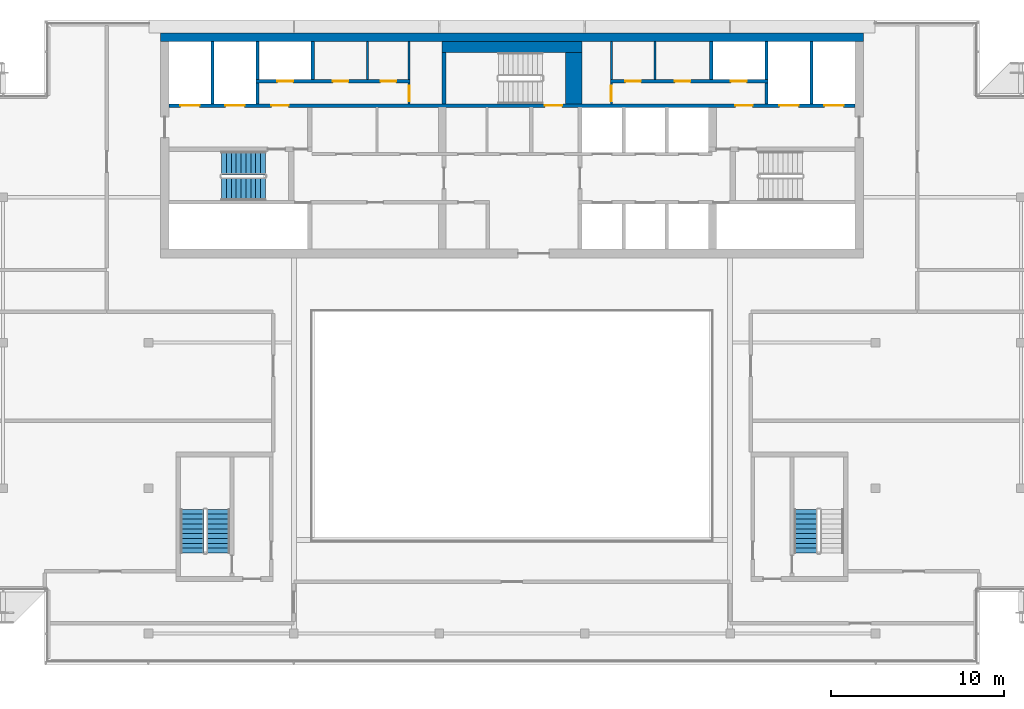
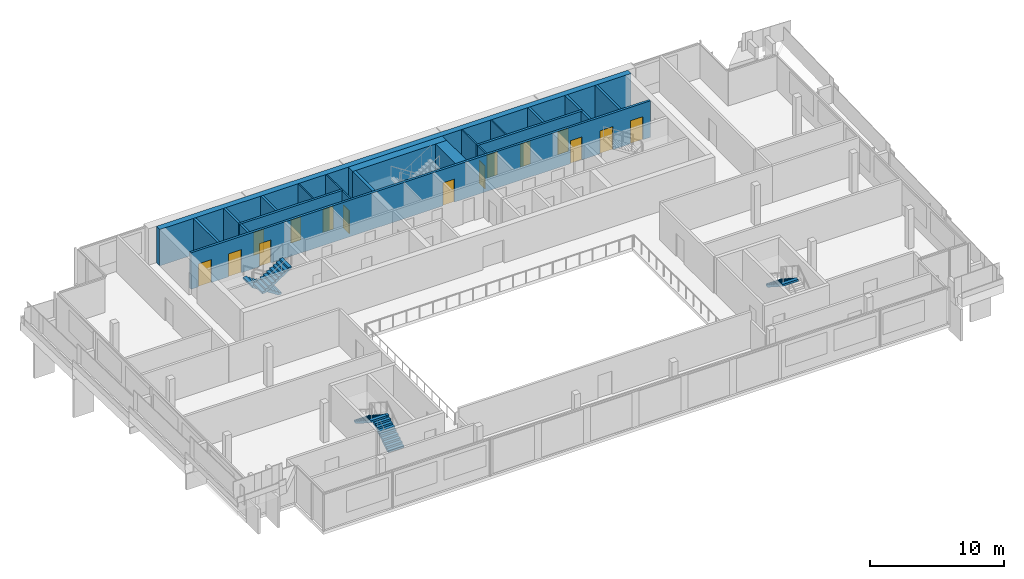
# One storey, part 14 of 20: 21 walls, 15 doors, 5 stair flights, 15 openings, 3 elements without a shape of their own.
"""IFC4 building model written with IfcOpenShell, lengths in metres."""

from ifc_helpers import new_model, si_unit, direction, frame, frame_2d, origin, place, context, subcontext, project, spatial, polyline, rectangle, outline, extrude, material, layer, layer_set, type_object, element, fill, aggregate, save


model = new_model("IFC4")

# Units and contexts
model_context = context("Model", 3, precision=1e-05, world=origin(), true_north=direction((0.0, 1.0)))
body_context = subcontext(model_context, "Body", "Model", "MODEL_VIEW")
ifc_project = project(units=[si_unit("LENGTHUNIT", "METRE"), si_unit("AREAUNIT", "SQUARE_METRE"), si_unit("VOLUMEUNIT", "CUBIC_METRE"), si_unit("PLANEANGLEUNIT", "RADIAN"), si_unit("MASSUNIT", "GRAM", prefix="KILO")], contexts=[model_context])

# Site, building, storey
site_placement = place(None, origin())
site = spatial("IfcSite", under=ifc_project, at=site_placement, CompositionType="ELEMENT")
building_placement = place(site_placement, origin())
building = spatial("IfcBuilding", under=site, at=building_placement, Name="Saffron Gate Tower", CompositionType="ELEMENT")
storey_placement = place(building_placement, frame((0.0, 0.0, 303.14990234375)))
storey = spatial("IfcBuildingStorey", under=building, at=storey_placement, Name="L74", CompositionType="ELEMENT", Elevation=303.14990234375)

# Walls
ifc_material_1 = material(Name="Concrete C50", Category="concrete")
ifc_layer_1 = layer(ifc_material_1, 0.5)
ifc_layer_set_1 = layer_set([ifc_layer_1], Name="CW22 RC core wall 500 C50")
wall_type_1 = type_object("IfcWallType", Name="CW22 RC core wall 500 C50", PredefinedType="SOLIDWALL", material=ifc_layer_set_1)
wall_1_placement = place(storey_placement, frame((67.300048828125, 74.64990234375, 0.0), z_axis=(0.0, 0.0, 1.0), x_axis=(1.0, 0.0, 0.0)))
element("IfcWall", 1, at=wall_1_placement, inside=storey, type_object=wall_type_1, Name="Wall CW22-L74-2", PredefinedType="SOLIDWALL", context=body_context, shape_type="SweptSolid", body=[
    extrude(rectangle(XDim=40.599853515625, YDim=0.5, at=frame_2d((20.2998046875, 0.0))), origin(), (0.0, 0.0, 1.0), 3.320068359375),
])
ifc_layer_2 = layer(ifc_material_1, 0.25)
ifc_layer_set_2 = layer_set([ifc_layer_2], Name="CW23 RC core wall 250 C50")
wall_type_2 = type_object("IfcWallType", Name="CW23 RC core wall 250 C50", PredefinedType="SOLIDWALL", material=ifc_layer_set_2)
wall_2_placement = place(storey_placement, frame((83.675048828125, 70.800048828125, 0.0), z_axis=(0.0, 0.0, 1.0), x_axis=(0.0, 1.0, 0.0)))
element("IfcWall", 2, at=wall_2_placement, inside=storey, type_object=wall_type_2, Name="Wall CW23-L74-35", PredefinedType="SOLIDWALL", context=body_context, shape_type="SweptSolid", body=[
    extrude(rectangle(XDim=2.949951171875, YDim=0.25, at=frame_2d((1.47509765625, 0.0))), origin(), (0.0, 0.0, 1.0), 3.320068359375),
])

# Wall, openings, doors
ifc_layer_3 = layer(ifc_material_1, 0.199951171875)
ifc_layer_set_3 = layer_set([ifc_layer_3], Name="CW25 RC core wall 200 C50")
wall_type_3 = type_object("IfcWallType", Name="CW25 RC core wall 200 C50", PredefinedType="SOLIDWALL", material=ifc_layer_set_3)
wall_3_placement = place(storey_placement, frame((67.800048828125, 70.699951171875, 0.0), z_axis=(0.0, 0.0, 1.0), x_axis=(1.0, 0.0, 0.0)))
wall_3 = element("IfcWall", 3, at=wall_3_placement, inside=storey, type_object=wall_type_3, Name="Wall CW25-L74-31", PredefinedType="SOLIDWALL", context=body_context, shape_type="SweptSolid", body=[
    extrude(rectangle(XDim=39.599853515625, YDim=0.199951171875, at=frame_2d((19.7998046875, 0.0))), origin(), (0.0, 0.0, 1.0), 3.320068359375),
])
opening_1_placement = place(wall_3_placement, frame((0.64990234375, 0.0, 0.0)))
opening_1 = element("IfcOpeningElement", 4, at=opening_1_placement, cuts=wall_3, Name="Opening LD-FF1", PredefinedType="OPENING", context=body_context, shape_type="SweptSolid", body=[
    extrude(rectangle(XDim=1.10009765625, YDim=2.10009765625, at=frame_2d((0.550048828125, 1.050048828125))), frame((0.0, 0.10986328125, 0.0), z_axis=(0.0, -1.0, 0.0), x_axis=(1.0, 0.0, 0.0)), (0.0, 0.0, 1.0), 0.219970703125),
])
opening_2_placement = place(wall_3_placement, frame((3.25, 0.0, 0.0)))
opening_2 = element("IfcOpeningElement", 5, at=opening_2_placement, cuts=wall_3, Name="Opening LD-SV1", PredefinedType="OPENING", context=body_context, shape_type="SweptSolid", body=[
    extrude(rectangle(XDim=1.10009765625, YDim=2.10009765625, at=frame_2d((0.550048828125, 1.050048828125))), frame((0.0, 0.10986328125, 0.0), z_axis=(0.0, -1.0, 0.0), x_axis=(1.0, 0.0, 0.0)), (0.0, 0.0, 1.0), 0.219970703125),
])
opening_3_placement = place(wall_3_placement, frame((5.89990234375, 0.0, 0.0)))
opening_3 = element("IfcOpeningElement", 6, at=opening_3_placement, cuts=wall_3, Name="Opening CR-03", PredefinedType="OPENING", context=body_context, shape_type="SweptSolid", body=[
    extrude(rectangle(XDim=1.0, YDim=2.10009765625, at=frame_2d((0.5, 1.050048828125))), frame((0.0, 0.10986328125, 0.0), z_axis=(0.0, -1.0, 0.0), x_axis=(1.0, 0.0, 0.0)), (0.0, 0.0, 1.0), 0.219970703125),
])
opening_4_placement = place(wall_3_placement, frame((21.699951171875, 0.0, 0.0)))
opening_4 = element("IfcOpeningElement", 7, at=opening_4_placement, cuts=wall_3, Name="Opening CR-17", PredefinedType="OPENING", context=body_context, shape_type="SweptSolid", body=[
    extrude(rectangle(XDim=1.0, YDim=2.10009765625, at=frame_2d((0.5, 1.050048828125))), frame((0.0, 0.10986328125, 0.0), z_axis=(0.0, -1.0, 0.0), x_axis=(1.0, 0.0, 0.0)), (0.0, 0.0, 1.0), 0.219970703125),
])
opening_5_placement = place(wall_3_placement, frame((32.699951171875, 0.0, 0.0)))
opening_5 = element("IfcOpeningElement", 8, at=opening_5_placement, cuts=wall_3, Name="Opening CR-04", PredefinedType="OPENING", context=body_context, shape_type="SweptSolid", body=[
    extrude(rectangle(XDim=1.0, YDim=2.10009765625, at=frame_2d((0.5, 1.050048828125))), frame((0.0, 0.10986328125, 0.0), z_axis=(0.0, -1.0, 0.0), x_axis=(1.0, 0.0, 0.0)), (0.0, 0.0, 1.0), 0.219970703125),
])
opening_6_placement = place(wall_3_placement, frame((35.25, 0.0, 0.0)))
opening_6 = element("IfcOpeningElement", 9, at=opening_6_placement, cuts=wall_3, Name="Opening LD-SV2", PredefinedType="OPENING", context=body_context, shape_type="SweptSolid", body=[
    extrude(rectangle(XDim=1.10009765625, YDim=2.10009765625, at=frame_2d((0.550048828125, 1.050048828125))), frame((0.0, 0.10986328125, 0.0), z_axis=(0.0, -1.0, 0.0), x_axis=(1.0, 0.0, 0.0)), (0.0, 0.0, 1.0), 0.219970703125),
])
opening_7_placement = place(wall_3_placement, frame((37.85009765625, 0.0, 0.0)))
opening_7 = element("IfcOpeningElement", 10, at=opening_7_placement, cuts=wall_3, Name="Opening LD-FF2", PredefinedType="OPENING", context=body_context, shape_type="SweptSolid", body=[
    extrude(rectangle(XDim=1.10009765625, YDim=2.10009765625, at=frame_2d((0.550048828125, 1.050048828125))), frame((0.0, 0.10986328125, 0.0), z_axis=(0.0, -1.0, 0.0), x_axis=(1.0, 0.0, 0.0)), (0.0, 0.0, 1.0), 0.219970703125),
])
ifc_material_2 = material(Name="Steel fire door set", Category="steel")
door_type_1 = type_object("IfcDoorType", Name="CD4 Lobby door 1000x2100 EI 120", OperationType="NOTDEFINED", PredefinedType="DOOR", material=ifc_material_2)
door_1_placement = place(opening_3_placement, origin())
door_1 = element("IfcDoor", 11, at=door_1_placement, inside=storey, type_object=door_type_1, Name="DOOR CR-03", OperationType="SINGLE_SWING_LEFT", OverallHeight=2.10009765625, OverallWidth=1.0, PredefinedType="DOOR", context=body_context, shape_type="SweptSolid", body=[
    extrude(rectangle(XDim=1.0, YDim=2.10009765625, at=frame_2d((0.5, 1.050048828125))), frame((0.0, 0.02490234375, 0.0), z_axis=(0.0, -1.0, 0.0), x_axis=(1.0, 0.0, 0.0)), (0.0, 0.0, 1.0), 0.050048828125),
])
fill(opening_3, door_1)
door_2_placement = place(opening_5_placement, origin())
door_2 = element("IfcDoor", 12, at=door_2_placement, inside=storey, type_object=door_type_1, Name="DOOR CR-04", OperationType="SINGLE_SWING_RIGHT", OverallHeight=2.10009765625, OverallWidth=1.0, PredefinedType="DOOR", context=body_context, shape_type="SweptSolid", body=[
    extrude(rectangle(XDim=1.0, YDim=2.10009765625, at=frame_2d((0.5, 1.050048828125))), frame((0.0, 0.02490234375, 0.0), z_axis=(0.0, -1.0, 0.0), x_axis=(1.0, 0.0, 0.0)), (0.0, 0.0, 1.0), 0.050048828125),
])
fill(opening_5, door_2)
door_type_2 = type_object("IfcDoorType", Name="CD5 Stair door 1000x2100 EI 120", OperationType="NOTDEFINED", PredefinedType="DOOR", material=ifc_material_2)
door_3_placement = place(opening_4_placement, origin())
door_3 = element("IfcDoor", 13, at=door_3_placement, inside=storey, type_object=door_type_2, Name="DOOR CR-17", OperationType="SINGLE_SWING_RIGHT", OverallHeight=2.10009765625, OverallWidth=1.0, PredefinedType="DOOR", context=body_context, shape_type="SweptSolid", body=[
    extrude(rectangle(XDim=1.0, YDim=2.10009765625, at=frame_2d((0.5, 1.050048828125))), frame((0.0, 0.02490234375, 0.0), z_axis=(0.0, -1.0, 0.0), x_axis=(1.0, 0.0, 0.0)), (0.0, 0.0, 1.0), 0.050048828125),
])
fill(opening_4, door_3)
ifc_material_3 = material(Name="Stainless steel landing door", Category="steel")
door_type_3 = type_object("IfcDoorType", Name="LD Lift landing door 1100x2100 EI 120", OperationType="SLIDING_TO_LEFT", PredefinedType="DOOR", material=ifc_material_3)
door_4_placement = place(opening_1_placement, origin())
door_4 = element("IfcDoor", 14, at=door_4_placement, inside=storey, type_object=door_type_3, Name="LANDING DOOR LD-FF1", OperationType="SLIDING_TO_RIGHT", OverallHeight=2.10009765625, OverallWidth=1.10009765625, PredefinedType="DOOR", context=body_context, shape_type="SweptSolid", body=[
    extrude(rectangle(XDim=1.10009765625, YDim=2.10009765625, at=frame_2d((0.550048828125, 1.050048828125))), frame((0.0, 0.02490234375, 0.0), z_axis=(0.0, -1.0, 0.0), x_axis=(1.0, 0.0, 0.0)), (0.0, 0.0, 1.0), 0.050048828125),
])
fill(opening_1, door_4)
door_5_placement = place(opening_2_placement, origin())
door_5 = element("IfcDoor", 15, at=door_5_placement, inside=storey, type_object=door_type_3, Name="LANDING DOOR LD-SV1", OperationType="SLIDING_TO_RIGHT", OverallHeight=2.10009765625, OverallWidth=1.10009765625, PredefinedType="DOOR", context=body_context, shape_type="SweptSolid", body=[
    extrude(rectangle(XDim=1.10009765625, YDim=2.10009765625, at=frame_2d((0.550048828125, 1.050048828125))), frame((0.0, 0.02490234375, 0.0), z_axis=(0.0, -1.0, 0.0), x_axis=(1.0, 0.0, 0.0)), (0.0, 0.0, 1.0), 0.050048828125),
])
fill(opening_2, door_5)
door_6_placement = place(opening_6_placement, origin())
door_6 = element("IfcDoor", 16, at=door_6_placement, inside=storey, type_object=door_type_3, Name="LANDING DOOR LD-SV2", OperationType="SLIDING_TO_RIGHT", OverallHeight=2.10009765625, OverallWidth=1.10009765625, PredefinedType="DOOR", context=body_context, shape_type="SweptSolid", body=[
    extrude(rectangle(XDim=1.10009765625, YDim=2.10009765625, at=frame_2d((0.550048828125, 1.050048828125))), frame((0.0, 0.02490234375, 0.0), z_axis=(0.0, -1.0, 0.0), x_axis=(1.0, 0.0, 0.0)), (0.0, 0.0, 1.0), 0.050048828125),
])
fill(opening_6, door_6)
door_7_placement = place(opening_7_placement, origin())
door_7 = element("IfcDoor", 17, at=door_7_placement, inside=storey, type_object=door_type_3, Name="LANDING DOOR LD-FF2", OperationType="SLIDING_TO_RIGHT", OverallHeight=2.10009765625, OverallWidth=1.10009765625, PredefinedType="DOOR", context=body_context, shape_type="SweptSolid", body=[
    extrude(rectangle(XDim=1.10009765625, YDim=2.10009765625, at=frame_2d((0.550048828125, 1.050048828125))), frame((0.0, 0.02490234375, 0.0), z_axis=(0.0, -1.0, 0.0), x_axis=(1.0, 0.0, 0.0)), (0.0, 0.0, 1.0), 0.050048828125),
])
fill(opening_7, door_7)

# Walls
wall_4_placement = place(storey_placement, frame((70.300048828125, 70.800048828125, 0.0), z_axis=(0.0, 0.0, 1.0), x_axis=(0.0, 1.0, 0.0)))
element("IfcWall", 18, at=wall_4_placement, inside=storey, type_object=wall_type_3, Name="Wall CW25-L74-32", PredefinedType="SOLIDWALL", context=body_context, shape_type="SweptSolid", body=[
    extrude(rectangle(XDim=3.599853515625, YDim=0.199951171875, at=frame_2d((1.7998046875, 0.0))), origin(), (0.0, 0.0, 1.0), 3.320068359375),
])
for number, where, z_axis, x_axis, name in (
    (19, (72.89990234375, 70.800048828125, 0.0), (0.0, 0.0, 1.0), (0.0, 1.0, 0.0), "Wall CW25-L74-33"),
    (20, (102.300048828125, 70.800048828125, 0.0), (0.0, 0.0, 1.0), (0.0, 1.0, 0.0), "Wall CW25-L74-38"),
):
    element("IfcWall", number, at=place(storey_placement, frame(where, z_axis=z_axis, x_axis=x_axis)), inside=storey, type_object=wall_type_3, Name=name, PredefinedType="SOLIDWALL", context=body_context, shape_type="SweptSolid", body=[
        extrude(rectangle(XDim=1.199951171875, YDim=0.199951171875, at=frame_2d((0.60009765625, 0.0))), origin(), (0.0, 0.0, 1.0), 3.320068359375),
    ])
wall_5_placement = place(storey_placement, frame((104.89990234375, 70.800048828125, 0.0), z_axis=(0.0, 0.0, 1.0), x_axis=(0.0, 1.0, 0.0)))
element("IfcWall", 21, at=wall_5_placement, inside=storey, type_object=wall_type_3, Name="Wall CW25-L74-39", PredefinedType="SOLIDWALL", context=body_context, shape_type="SweptSolid", body=[
    extrude(rectangle(XDim=3.599853515625, YDim=0.199951171875, at=frame_2d((1.7998046875, 0.0))), origin(), (0.0, 0.0, 1.0), 3.320068359375),
])

# Wall, openings, doors
wall_6_placement = place(storey_placement, frame((72.800048828125, 72.10009765625, 0.0), z_axis=(0.0, 0.0, 1.0), x_axis=(1.0, 0.0, 0.0)))
wall_6 = element("IfcWall", 22, at=wall_6_placement, inside=storey, type_object=wall_type_3, Name="Wall CW25-L74-40", PredefinedType="SOLIDWALL", context=body_context, shape_type="SweptSolid", body=[
    extrude(rectangle(XDim=8.919921875, YDim=0.199951171875, at=frame_2d((4.4599609375, 0.0))), origin(), (0.0, 0.0, 1.0), 3.320068359375),
])
opening_8_placement = place(wall_6_placement, frame((1.25, 0.0, 0.0)))
opening_8 = element("IfcOpeningElement", 23, at=opening_8_placement, cuts=wall_6, Name="Opening CR-71", PredefinedType="OPENING", context=body_context, shape_type="SweptSolid", body=[
    extrude(rectangle(XDim=0.89990234375, YDim=2.10009765625, at=frame_2d((0.449951171875, 1.050048828125))), frame((0.0, 0.10986328125, 0.0), z_axis=(0.0, -1.0, 0.0), x_axis=(1.0, 0.0, 0.0)), (0.0, 0.0, 1.0), 0.219970703125),
])
opening_9_placement = place(wall_6_placement, frame((4.449951171875, 0.0, 0.0)))
opening_9 = element("IfcOpeningElement", 24, at=opening_9_placement, cuts=wall_6, Name="Opening CR-55", PredefinedType="OPENING", context=body_context, shape_type="SweptSolid", body=[
    extrude(rectangle(XDim=0.89990234375, YDim=2.10009765625, at=frame_2d((0.449951171875, 1.050048828125))), frame((0.0, 0.10986328125, 0.0), z_axis=(0.0, -1.0, 0.0), x_axis=(1.0, 0.0, 0.0)), (0.0, 0.0, 1.0), 0.219970703125),
])
opening_10_placement = place(wall_6_placement, frame((7.2099609375, 0.0, 0.0)))
opening_10 = element("IfcOpeningElement", 25, at=opening_10_placement, cuts=wall_6, Name="Opening CR-58", PredefinedType="OPENING", context=body_context, shape_type="SweptSolid", body=[
    extrude(rectangle(XDim=0.89990234375, YDim=2.10009765625, at=frame_2d((0.449951171875, 1.050048828125))), frame((0.0, 0.10986328125, 0.0), z_axis=(0.0, -1.0, 0.0), x_axis=(1.0, 0.0, 0.0)), (0.0, 0.0, 1.0), 0.219970703125),
])
door_type_4 = type_object("IfcDoorType", Name="CD2 Riser door 900x2100 EI 60", OperationType="NOTDEFINED", PredefinedType="DOOR", material=ifc_material_2)
door_8_placement = place(opening_8_placement, origin())
door_8 = element("IfcDoor", 26, at=door_8_placement, inside=storey, type_object=door_type_4, Name="DOOR CR-71", OperationType="SINGLE_SWING_LEFT", OverallHeight=2.10009765625, OverallWidth=0.89990234375, PredefinedType="DOOR", context=body_context, shape_type="SweptSolid", body=[
    extrude(rectangle(XDim=0.89990234375, YDim=2.10009765625, at=frame_2d((0.449951171875, 1.050048828125))), frame((0.0, 0.02490234375, 0.0), z_axis=(0.0, -1.0, 0.0), x_axis=(1.0, 0.0, 0.0)), (0.0, 0.0, 1.0), 0.050048828125),
])
fill(opening_8, door_8)
door_type_5 = type_object("IfcDoorType", Name="CD9 Room door 900x2100 EI 60", OperationType="NOTDEFINED", PredefinedType="DOOR", material=ifc_material_2)
door_9_placement = place(opening_9_placement, origin())
door_9 = element("IfcDoor", 27, at=door_9_placement, inside=storey, type_object=door_type_5, Name="DOOR CR-55", OperationType="SINGLE_SWING_LEFT", OverallHeight=2.10009765625, OverallWidth=0.89990234375, PredefinedType="DOOR", context=body_context, shape_type="SweptSolid", body=[
    extrude(rectangle(XDim=0.89990234375, YDim=2.10009765625, at=frame_2d((0.449951171875, 1.050048828125))), frame((0.0, 0.02490234375, 0.0), z_axis=(0.0, -1.0, 0.0), x_axis=(1.0, 0.0, 0.0)), (0.0, 0.0, 1.0), 0.050048828125),
])
fill(opening_9, door_9)
door_10_placement = place(opening_10_placement, origin())
door_10 = element("IfcDoor", 28, at=door_10_placement, inside=storey, type_object=door_type_5, Name="DOOR CR-58", OperationType="SINGLE_SWING_LEFT", OverallHeight=2.10009765625, OverallWidth=0.89990234375, PredefinedType="DOOR", context=body_context, shape_type="SweptSolid", body=[
    extrude(rectangle(XDim=0.89990234375, YDim=2.10009765625, at=frame_2d((0.449951171875, 1.050048828125))), frame((0.0, 0.02490234375, 0.0), z_axis=(0.0, -1.0, 0.0), x_axis=(1.0, 0.0, 0.0)), (0.0, 0.0, 1.0), 0.050048828125),
])
fill(opening_10, door_10)

wall_7_placement = place(storey_placement, frame((93.280029296875, 72.10009765625, 0.0), z_axis=(0.0, 0.0, 1.0), x_axis=(1.0, 0.0, 0.0)))
wall_7 = element("IfcWall", 29, at=wall_7_placement, inside=storey, type_object=wall_type_3, Name="Wall CW25-L74-41", PredefinedType="SOLIDWALL", context=body_context, shape_type="SweptSolid", body=[
    extrude(rectangle(XDim=9.119873046875, YDim=0.199951171875, at=frame_2d((4.56005859375, 0.0))), origin(), (0.0, 0.0, 1.0), 3.320068359375),
])
opening_11_placement = place(wall_7_placement, frame((0.8701171875, 0.0, 0.0)))
opening_11 = element("IfcOpeningElement", 30, at=opening_11_placement, cuts=wall_7, Name="Opening CR-50", PredefinedType="OPENING", context=body_context, shape_type="SweptSolid", body=[
    extrude(rectangle(XDim=0.89990234375, YDim=2.10009765625, at=frame_2d((0.449951171875, 1.050048828125))), frame((0.0, 0.10986328125, 0.0), z_axis=(0.0, -1.0, 0.0), x_axis=(1.0, 0.0, 0.0)), (0.0, 0.0, 1.0), 0.219970703125),
])
opening_12_placement = place(wall_7_placement, frame((3.72998046875, 0.0, 0.0)))
opening_12 = element("IfcOpeningElement", 31, at=opening_12_placement, cuts=wall_7, Name="Opening CR-53", PredefinedType="OPENING", context=body_context, shape_type="SweptSolid", body=[
    extrude(rectangle(XDim=0.89990234375, YDim=2.10009765625, at=frame_2d((0.449951171875, 1.050048828125))), frame((0.0, 0.10986328125, 0.0), z_axis=(0.0, -1.0, 0.0), x_axis=(1.0, 0.0, 0.0)), (0.0, 0.0, 1.0), 0.219970703125),
])
opening_13_placement = place(wall_7_placement, frame((6.969970703125, 0.0, 0.0)))
opening_13 = element("IfcOpeningElement", 32, at=opening_13_placement, cuts=wall_7, Name="Opening CR-70", PredefinedType="OPENING", context=body_context, shape_type="SweptSolid", body=[
    extrude(rectangle(XDim=0.89990234375, YDim=2.10009765625, at=frame_2d((0.449951171875, 1.050048828125))), frame((0.0, 0.10986328125, 0.0), z_axis=(0.0, -1.0, 0.0), x_axis=(1.0, 0.0, 0.0)), (0.0, 0.0, 1.0), 0.219970703125),
])
door_11_placement = place(opening_13_placement, origin())
door_11 = element("IfcDoor", 33, at=door_11_placement, inside=storey, type_object=door_type_4, Name="DOOR CR-70", OperationType="SINGLE_SWING_LEFT", OverallHeight=2.10009765625, OverallWidth=0.89990234375, PredefinedType="DOOR", context=body_context, shape_type="SweptSolid", body=[
    extrude(rectangle(XDim=0.89990234375, YDim=2.10009765625, at=frame_2d((0.449951171875, 1.050048828125))), frame((0.0, 0.02490234375, 0.0), z_axis=(0.0, -1.0, 0.0), x_axis=(1.0, 0.0, 0.0)), (0.0, 0.0, 1.0), 0.050048828125),
])
fill(opening_13, door_11)
door_12_placement = place(opening_11_placement, origin())
door_12 = element("IfcDoor", 34, at=door_12_placement, inside=storey, type_object=door_type_5, Name="DOOR CR-50", OperationType="SINGLE_SWING_LEFT", OverallHeight=2.10009765625, OverallWidth=0.89990234375, PredefinedType="DOOR", context=body_context, shape_type="SweptSolid", body=[
    extrude(rectangle(XDim=0.89990234375, YDim=2.10009765625, at=frame_2d((0.449951171875, 1.050048828125))), frame((0.0, 0.02490234375, 0.0), z_axis=(0.0, -1.0, 0.0), x_axis=(1.0, 0.0, 0.0)), (0.0, 0.0, 1.0), 0.050048828125),
])
fill(opening_11, door_12)
door_13_placement = place(opening_12_placement, origin())
door_13 = element("IfcDoor", 35, at=door_13_placement, inside=storey, type_object=door_type_5, Name="DOOR CR-53", OperationType="SINGLE_SWING_LEFT", OverallHeight=2.10009765625, OverallWidth=0.89990234375, PredefinedType="DOOR", context=body_context, shape_type="SweptSolid", body=[
    extrude(rectangle(XDim=0.89990234375, YDim=2.10009765625, at=frame_2d((0.449951171875, 1.050048828125))), frame((0.0, 0.02490234375, 0.0), z_axis=(0.0, -1.0, 0.0), x_axis=(1.0, 0.0, 0.0)), (0.0, 0.0, 1.0), 0.050048828125),
])
fill(opening_12, door_13)

# Walls
for number, where, z_axis, x_axis, name in (
    (36, (72.89990234375, 72.199951171875, 0.0), (0.0, 0.0, 1.0), (0.0, 1.0, 0.0), "Wall CW25-L74-42"),
    (37, (76.10009765625, 72.199951171875, 0.0), (0.0, 0.0, 1.0), (0.0, 1.0, 0.0), "Wall CW25-L74-43"),
    (38, (99.10009765625, 72.199951171875, 0.0), (0.0, 0.0, 1.0), (0.0, 1.0, 0.0), "Wall CW25-L74-48"),
    (39, (102.300048828125, 72.199951171875, 0.0), (0.0, 0.0, 1.0), (0.0, 1.0, 0.0), "Wall CW25-L74-49"),
):
    element("IfcWall", number, at=place(storey_placement, frame(where, z_axis=z_axis, x_axis=x_axis)), inside=storey, type_object=wall_type_3, Name=name, PredefinedType="SOLIDWALL", context=body_context, shape_type="SweptSolid", body=[
        extrude(rectangle(XDim=2.199951171875, YDim=0.199951171875, at=frame_2d((1.10009765625, 0.0))), origin(), (0.0, 0.0, 1.0), 3.320068359375),
    ])
ifc_layer_4 = layer(ifc_material_1, 0.949951171875)
ifc_layer_set_4 = layer_set([ifc_layer_4], Name="CW28 RC core wall 950 C50")
wall_type_4 = type_object("IfcWallType", Name="CW28 RC core wall 950 C50", PredefinedType="SOLIDWALL", material=ifc_layer_set_4)
wall_8_placement = place(storey_placement, frame((91.175048828125, 70.800048828125, 0.0), z_axis=(0.0, 0.0, 1.0), x_axis=(0.0, 1.0, 0.0)))
element("IfcWall", 40, at=wall_8_placement, inside=storey, type_object=wall_type_4, Name="Wall CW28-L74-36", PredefinedType="SOLIDWALL", context=body_context, shape_type="SweptSolid", body=[
    extrude(rectangle(XDim=2.949951171875, YDim=0.949951171875, at=frame_2d((1.47509765625, 0.0))), origin(), (0.0, 0.0, 1.0), 3.320068359375),
])
ifc_layer_5 = layer(ifc_material_1, 0.64990234375)
ifc_layer_set_5 = layer_set([ifc_layer_5], Name="CW29 RC core wall 650 C50")
wall_type_5 = type_object("IfcWallType", Name="CW29 RC core wall 650 C50", PredefinedType="SOLIDWALL", material=ifc_layer_set_5)
wall_9_placement = place(storey_placement, frame((83.550048828125, 74.074951171875, 0.0), z_axis=(0.0, 0.0, 1.0), x_axis=(1.0, 0.0, 0.0)))
element("IfcWall", 41, at=wall_9_placement, inside=storey, type_object=wall_type_5, Name="Wall CW29-L74-50", PredefinedType="SOLIDWALL", context=body_context, shape_type="SweptSolid", body=[
    extrude(rectangle(XDim=8.099853515625, YDim=0.64990234375, at=frame_2d((4.0498046875, 0.0))), origin(), (0.0, 0.0, 1.0), 3.320068359375),
])

# Wall, opening, door
ifc_material_4 = material(Name="Gypsum board partition on steel studs", Category="steel")
ifc_layer_6 = layer(ifc_material_4, 0.1201171875)
ifc_layer_set_6 = layer_set([ifc_layer_6], Name="CW8 Core partition 120")
wall_type_6 = type_object("IfcWallType", Name="CW8 Core partition 120", PredefinedType="PARTITIONING", material=ifc_layer_set_6)
wall_10_placement = place(storey_placement, frame((81.659912109375, 70.800048828125, 0.0), z_axis=(0.0, 0.0, 1.0), x_axis=(0.0, 1.0, 0.0)))
wall_10 = element("IfcWall", 42, at=wall_10_placement, inside=storey, type_object=wall_type_6, Name="Wall CW8-L74-34", PredefinedType="PARTITIONING", context=body_context, shape_type="SweptSolid", body=[
    extrude(rectangle(XDim=1.199951171875, YDim=0.1201171875, at=frame_2d((0.60009765625, 0.0))), origin(), (0.0, 0.0, 1.0), 3.320068359375),
])
opening_14_placement = place(wall_10_placement, frame((0.14990234375, 0.0, 0.0)))
opening_14 = element("IfcOpeningElement", 43, at=opening_14_placement, cuts=wall_10, Name="Opening CR-60", PredefinedType="OPENING", context=body_context, shape_type="SweptSolid", body=[
    extrude(rectangle(XDim=0.89990234375, YDim=2.10009765625, at=frame_2d((0.449951171875, 1.050048828125))), frame((0.0, 0.070068359375, 0.0), z_axis=(0.0, -1.0, 0.0), x_axis=(1.0, 0.0, 0.0)), (0.0, 0.0, 1.0), 0.14013671875),
])
door_14_placement = place(opening_14_placement, origin())
door_14 = element("IfcDoor", 44, at=door_14_placement, inside=storey, type_object=door_type_5, Name="DOOR CR-60", OperationType="SINGLE_SWING_RIGHT", OverallHeight=2.10009765625, OverallWidth=0.89990234375, PredefinedType="DOOR", context=body_context, shape_type="SweptSolid", body=[
    extrude(rectangle(XDim=0.89990234375, YDim=2.10009765625, at=frame_2d((0.449951171875, 1.050048828125))), frame((0.0, 0.02490234375, 0.0), z_axis=(0.0, -1.0, 0.0), x_axis=(1.0, 0.0, 0.0)), (0.0, 0.0, 1.0), 0.050048828125),
])
fill(opening_14, door_14)

wall_11_placement = place(storey_placement, frame((93.340087890625, 70.800048828125, 0.0), z_axis=(0.0, 0.0, 1.0), x_axis=(0.0, 1.0, 0.0)))
wall_11 = element("IfcWall", 45, at=wall_11_placement, inside=storey, type_object=wall_type_6, Name="Wall CW8-L74-37", PredefinedType="PARTITIONING", context=body_context, shape_type="SweptSolid", body=[
    extrude(rectangle(XDim=1.199951171875, YDim=0.1201171875, at=frame_2d((0.60009765625, 0.0))), origin(), (0.0, 0.0, 1.0), 3.320068359375),
])
opening_15_placement = place(wall_11_placement, frame((0.14990234375, 0.0, 0.0)))
opening_15 = element("IfcOpeningElement", 46, at=opening_15_placement, cuts=wall_11, Name="Opening CR-54", PredefinedType="OPENING", context=body_context, shape_type="SweptSolid", body=[
    extrude(rectangle(XDim=0.89990234375, YDim=2.10009765625, at=frame_2d((0.449951171875, 1.050048828125))), frame((0.0, 0.070068359375, 0.0), z_axis=(0.0, -1.0, 0.0), x_axis=(1.0, 0.0, 0.0)), (0.0, 0.0, 1.0), 0.14013671875),
])
door_15_placement = place(opening_15_placement, origin())
door_15 = element("IfcDoor", 47, at=door_15_placement, inside=storey, type_object=door_type_5, Name="DOOR CR-54", OperationType="SINGLE_SWING_LEFT", OverallHeight=2.10009765625, OverallWidth=0.89990234375, PredefinedType="DOOR", context=body_context, shape_type="SweptSolid", body=[
    extrude(rectangle(XDim=0.89990234375, YDim=2.10009765625, at=frame_2d((0.449951171875, 1.050048828125))), frame((0.0, 0.02490234375, 0.0), z_axis=(0.0, -1.0, 0.0), x_axis=(1.0, 0.0, 0.0)), (0.0, 0.0, 1.0), 0.050048828125),
])
fill(opening_15, door_15)

# Walls
for number, where, z_axis, x_axis, name in (
    (48, (79.260009765625, 72.199951171875, 0.0), (0.0, 0.0, 1.0), (0.0, 1.0, 0.0), "Wall CW8-L74-44"),
    (49, (81.659912109375, 72.199951171875, 0.0), (0.0, 0.0, 1.0), (0.0, 1.0, 0.0), "Wall CW8-L74-45"),
    (50, (93.340087890625, 72.199951171875, 0.0), (0.0, 0.0, 1.0), (0.0, 1.0, 0.0), "Wall CW8-L74-46"),
    (51, (95.860107421875, 72.199951171875, 0.0), (0.0, 0.0, 1.0), (0.0, 1.0, 0.0), "Wall CW8-L74-47"),
):
    element("IfcWall", number, at=place(storey_placement, frame(where, z_axis=z_axis, x_axis=x_axis)), inside=storey, type_object=wall_type_6, Name=name, PredefinedType="PARTITIONING", context=body_context, shape_type="SweptSolid", body=[
        extrude(rectangle(XDim=2.199951171875, YDim=0.1201171875, at=frame_2d((1.10009765625, 0.0))), origin(), (0.0, 0.0, 1.0), 3.320068359375),
    ])

# Stair, stair flights
ifc_material_5 = material(Name="Concrete C40", Category="concrete")
stair_type = type_object("IfcStairType", Name="ST7 Stair 1350 wide, 20 risers of 180", PredefinedType="HALF_TURN_STAIR", material=ifc_material_5)
stair_1_placement = place(storey_placement, origin())
stair_1 = element("IfcStair", 52, at=stair_1_placement, inside=storey, type_object=stair_type, Name="L74 Exit stair A", PredefinedType="HALF_TURN_STAIR")
stair_flight_type = type_object("IfcStairFlightType", Name="SF3 Stair flight 1350 wide, riser 180 going 280", PredefinedType="STRAIGHT", material=ifc_material_5)
stair_flight_1_placement = place(storey_placement, frame((73.35009765625, 67.375, 0.0), z_axis=(0.0, 0.0, 1.0), x_axis=(-1.0, 0.0, 0.0)))
stair_flight_1 = element("IfcStairFlight", 53, at=stair_flight_1_placement, type_object=stair_flight_type, Name="ST-A flight 1", NumberOfRisers=10, NumberOfTreads=9, PredefinedType="STRAIGHT", RiserHeight=0.18, TreadLength=0.28, context=body_context, shape_type="SweptSolid", body=[
    extrude(outline(polyline([(0.0, 0.0), (0.0, 0.179931640625), (0.280029296875, 0.179931640625), (0.280029296875, 0.360107421875), (0.56005859375, 0.360107421875), (0.56005859375, 0.5400390625), (0.840087890625, 0.5400390625), (0.840087890625, 0.719970703125), (1.1201171875, 0.719970703125), (1.1201171875, 0.89990234375), (1.39990234375, 0.89990234375), (1.39990234375, 1.080078125), (1.679931640625, 1.080078125), (1.679931640625, 1.260009765625), (1.9599609375, 1.260009765625), (1.9599609375, 1.43994140625), (2.239990234375, 1.43994140625), (2.239990234375, 1.6201171875), (2.52001953125, 1.6201171875), (2.52001953125, 1.800048828125), (2.52001953125, 1.44189453125), (0.277099609375, 0.0), (0.0, 0.0)])), frame((0.0, 0.675048828125, 0.0), z_axis=(0.0, -1.0, 0.0), x_axis=(1.0, 0.0, 0.0)), (0.0, 0.0, 1.0), 1.35009765625),
])
stair_flight_2_placement = place(storey_placement, frame((70.830078125, 65.875, 1.800048828125), z_axis=(0.0, 0.0, 1.0), x_axis=(1.0, 0.0, 0.0)))
stair_flight_2 = element("IfcStairFlight", 54, at=stair_flight_2_placement, type_object=stair_flight_type, Name="ST-A flight 2", NumberOfRisers=10, NumberOfTreads=9, PredefinedType="STRAIGHT", RiserHeight=0.18, TreadLength=0.28, context=body_context, shape_type="SweptSolid", body=[
    extrude(outline(polyline([(0.0, 0.0), (0.0, 0.179931640625), (0.280029296875, 0.179931640625), (0.280029296875, 0.360107421875), (0.56005859375, 0.360107421875), (0.56005859375, 0.5400390625), (0.840087890625, 0.5400390625), (0.840087890625, 0.719970703125), (1.1201171875, 0.719970703125), (1.1201171875, 0.89990234375), (1.39990234375, 0.89990234375), (1.39990234375, 1.080078125), (1.679931640625, 1.080078125), (1.679931640625, 1.260009765625), (1.9599609375, 1.260009765625), (1.9599609375, 1.43994140625), (2.239990234375, 1.43994140625), (2.239990234375, 1.6201171875), (2.52001953125, 1.6201171875), (2.52001953125, 1.800048828125), (2.52001953125, 1.44189453125), (0.277099609375, 0.0), (0.0, 0.0)])), frame((0.0, 0.675048828125, 0.0), z_axis=(0.0, -1.0, 0.0), x_axis=(1.0, 0.0, 0.0)), (0.0, 0.0, 1.0), 1.35009765625),
])
aggregate(stair_1, [stair_flight_1, stair_flight_2])

stair_2_placement = place(storey_placement, origin())
stair_2 = element("IfcStair", 55, at=stair_2_placement, inside=storey, type_object=stair_type, Name="L74 Exit stair D", PredefinedType="HALF_TURN_STAIR")
stair_flight_3_placement = place(storey_placement, frame((70.625, 44.85009765625, 0.0), z_axis=(0.0, 0.0, 1.0), x_axis=(0.0, 1.0, 0.0)))
stair_flight_3 = element("IfcStairFlight", 56, at=stair_flight_3_placement, type_object=stair_flight_type, Name="ST-D flight 1", NumberOfRisers=10, NumberOfTreads=9, PredefinedType="STRAIGHT", RiserHeight=0.18, TreadLength=0.28, context=body_context, shape_type="SweptSolid", body=[
    extrude(outline(polyline([(0.0, 0.0), (0.0, 0.179931640625), (0.280029296875, 0.179931640625), (0.280029296875, 0.360107421875), (0.56005859375, 0.360107421875), (0.56005859375, 0.5400390625), (0.840087890625, 0.5400390625), (0.840087890625, 0.719970703125), (1.1201171875, 0.719970703125), (1.1201171875, 0.89990234375), (1.39990234375, 0.89990234375), (1.39990234375, 1.080078125), (1.679931640625, 1.080078125), (1.679931640625, 1.260009765625), (1.9599609375, 1.260009765625), (1.9599609375, 1.43994140625), (2.239990234375, 1.43994140625), (2.239990234375, 1.6201171875), (2.52001953125, 1.6201171875), (2.52001953125, 1.800048828125), (2.52001953125, 1.44189453125), (0.277099609375, 0.0), (0.0, 0.0)])), frame((0.0, 0.675048828125, 0.0), z_axis=(0.0, -1.0, 0.0), x_axis=(1.0, 0.0, 0.0)), (0.0, 0.0, 1.0), 1.35009765625),
])
stair_flight_4_placement = place(storey_placement, frame((69.125, 47.3701171875, 1.800048828125), z_axis=(0.0, 0.0, 1.0), x_axis=(0.0, -1.0, 0.0)))
stair_flight_4 = element("IfcStairFlight", 57, at=stair_flight_4_placement, type_object=stair_flight_type, Name="ST-D flight 2", NumberOfRisers=10, NumberOfTreads=9, PredefinedType="STRAIGHT", RiserHeight=0.18, TreadLength=0.28, context=body_context, shape_type="SweptSolid", body=[
    extrude(outline(polyline([(0.0, 0.0), (0.0, 0.179931640625), (0.280029296875, 0.179931640625), (0.280029296875, 0.360107421875), (0.56005859375, 0.360107421875), (0.56005859375, 0.5400390625), (0.840087890625, 0.5400390625), (0.840087890625, 0.719970703125), (1.1201171875, 0.719970703125), (1.1201171875, 0.89990234375), (1.39990234375, 0.89990234375), (1.39990234375, 1.080078125), (1.679931640625, 1.080078125), (1.679931640625, 1.260009765625), (1.9599609375, 1.260009765625), (1.9599609375, 1.43994140625), (2.239990234375, 1.43994140625), (2.239990234375, 1.6201171875), (2.52001953125, 1.6201171875), (2.52001953125, 1.800048828125), (2.52001953125, 1.44189453125), (0.277099609375, 0.0), (0.0, 0.0)])), frame((0.0, 0.675048828125, 0.0), z_axis=(0.0, -1.0, 0.0), x_axis=(1.0, 0.0, 0.0)), (0.0, 0.0, 1.0), 1.35009765625),
])
aggregate(stair_2, [stair_flight_3, stair_flight_4])

# Stair, stair flight
stair_3_placement = place(storey_placement, origin())
stair_3 = element("IfcStair", 58, at=stair_3_placement, inside=storey, type_object=stair_type, Name="L74 Exit stair E", PredefinedType="HALF_TURN_STAIR")
stair_flight_5_placement = place(storey_placement, frame((104.574951171875, 47.3701171875, 1.800048828125), z_axis=(0.0, 0.0, 1.0), x_axis=(0.0, -1.0, 0.0)))
stair_flight_5 = element("IfcStairFlight", 59, at=stair_flight_5_placement, type_object=stair_flight_type, Name="ST-E flight 2", NumberOfRisers=10, NumberOfTreads=9, PredefinedType="STRAIGHT", RiserHeight=0.18, TreadLength=0.28, context=body_context, shape_type="SweptSolid", body=[
    extrude(outline(polyline([(0.0, 0.0), (0.0, 0.179931640625), (0.280029296875, 0.179931640625), (0.280029296875, 0.360107421875), (0.56005859375, 0.360107421875), (0.56005859375, 0.5400390625), (0.840087890625, 0.5400390625), (0.840087890625, 0.719970703125), (1.1201171875, 0.719970703125), (1.1201171875, 0.89990234375), (1.39990234375, 0.89990234375), (1.39990234375, 1.080078125), (1.679931640625, 1.080078125), (1.679931640625, 1.260009765625), (1.9599609375, 1.260009765625), (1.9599609375, 1.43994140625), (2.239990234375, 1.43994140625), (2.239990234375, 1.6201171875), (2.52001953125, 1.6201171875), (2.52001953125, 1.800048828125), (2.52001953125, 1.44189453125), (0.277099609375, 0.0), (0.0, 0.0)])), frame((0.0, 0.675048828125, 0.0), z_axis=(0.0, -1.0, 0.0), x_axis=(1.0, 0.0, 0.0)), (0.0, 0.0, 1.0), 1.35009765625),
])
aggregate(stair_3, [stair_flight_5])

save(model, "model.ifc")
